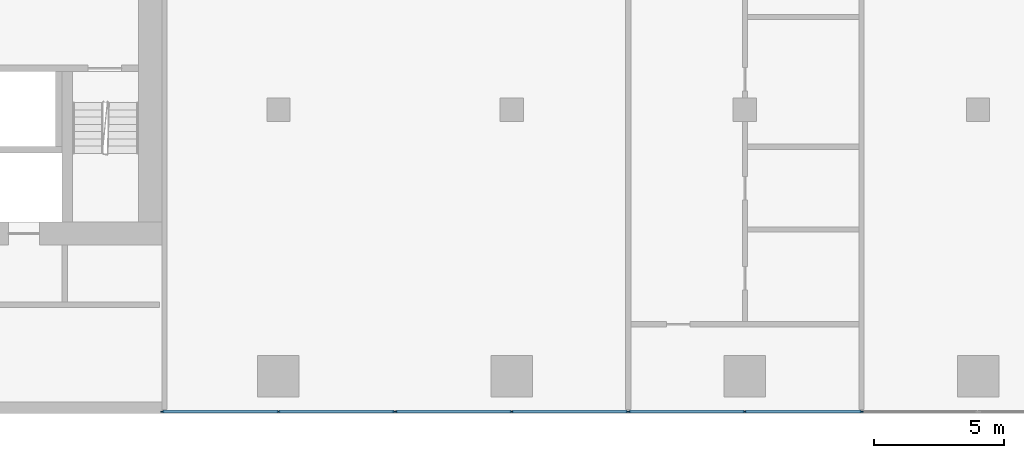
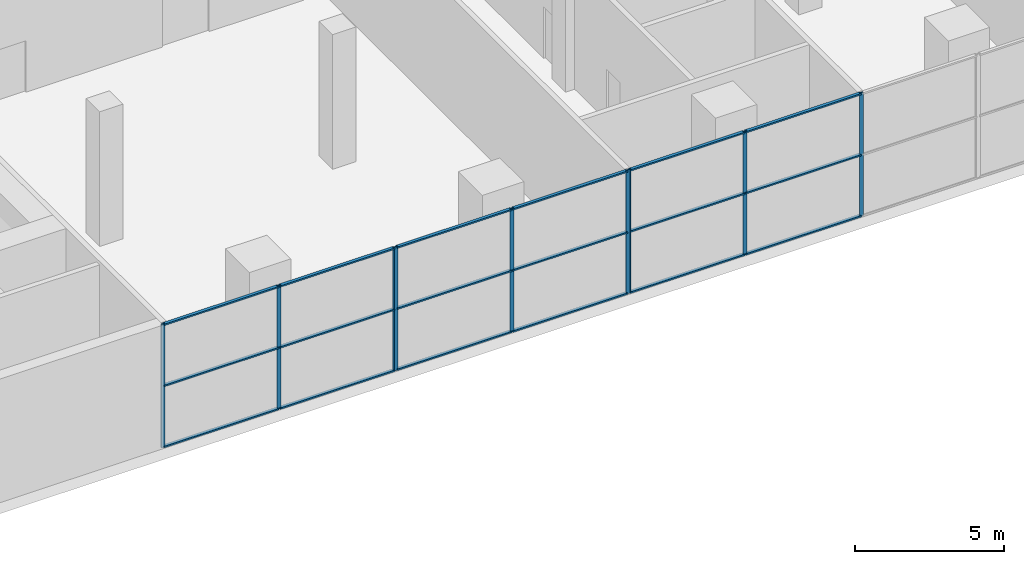
# One storey, part 2 of 21: 27 members, 3 elements without a shape of their own.
"""IFC4 building model written with IfcOpenShell, lengths in metres."""

from ifc_helpers import new_model, si_unit, direction, frame, origin, origin_2d, place, context, subcontext, project, spatial, rectangle, extrude, material, material_profile, profile_set, type_object, element, aggregate, save


model = new_model("IFC4")

# Units and contexts
model_context = context("Model", 3, precision=1e-05, world=origin(), true_north=direction((0.0, 1.0)))
body_context = subcontext(model_context, "Body", "Model", "MODEL_VIEW")
ifc_project = project(units=[si_unit("LENGTHUNIT", "METRE"), si_unit("AREAUNIT", "SQUARE_METRE"), si_unit("VOLUMEUNIT", "CUBIC_METRE"), si_unit("PLANEANGLEUNIT", "RADIAN"), si_unit("MASSUNIT", "GRAM", prefix="KILO")], contexts=[model_context])

# Site, building, storey
site_placement = place(None, origin())
site = spatial("IfcSite", under=ifc_project, at=site_placement, CompositionType="ELEMENT")
building_placement = place(site_placement, origin())
building = spatial("IfcBuilding", under=site, at=building_placement, Name="Kajstack Hotel Tower", CompositionType="ELEMENT")
storey_placement = place(building_placement, frame((0.0, 0.0, 23.5)))
storey = spatial("IfcBuildingStorey", under=building, at=storey_placement, Name="L03", CompositionType="ELEMENT", Elevation=23.5)

# Curtain wall, members
ifc_material_1 = material(Name="Aluminium-framed curtain wall, fritted glass", Category="aluminium")
curtain_wall_type = type_object("IfcCurtainWallType", Name="CW-MEET", PredefinedType="NOTDEFINED", material=ifc_material_1)
curtain_wall_1_placement = place(storey_placement, origin())
curtain_wall_1 = element("IfcCurtainWall", 1, at=curtain_wall_1_placement, inside=storey, type_object=curtain_wall_type, Name="Curtain wall CU3 L03-03-02-0", PredefinedType="NOTDEFINED")
ifc_material_2 = material(Name="Aluminium", Category="aluminium")
ifc_material_profile_1 = material_profile(ifc_material_2, rectangle(XDim=0.050048828125, YDim=0.14990234375, at=origin_2d()), Name="Aluminium mullion 50 x 150")
ifc_profile_set_1 = profile_set([ifc_material_profile_1], Name="Aluminium")
member_type_1 = type_object("IfcMemberType", Name="CW-M-MEET", PredefinedType="MULLION", material=ifc_profile_set_1)
member_1_placement = place(storey_placement, frame((-13.47509765625, -21.925048828125, 0.0), z_axis=(0.0, 0.0, 1.0), x_axis=(0.0, 1.0, 0.0)))
member_1 = element("IfcMember", 2, at=member_1_placement, type_object=member_type_1, Name="CU3 mullion 1", PredefinedType="MULLION", context=body_context, shape_type="SweptSolid", body=[
    extrude(rectangle(XDim=0.050048828125, YDim=0.14990234375, at=origin_2d()), origin(), (0.0, 0.0, 1.0), 5.050048828125),
])
member_2_placement = place(storey_placement, frame((-9.0, -21.925048828125, 0.0), z_axis=(0.0, 0.0, 1.0), x_axis=(0.0, 1.0, 0.0)))
member_2 = element("IfcMember", 3, at=member_2_placement, type_object=member_type_1, Name="CU3 mullion 2", PredefinedType="MULLION", context=body_context, shape_type="SweptSolid", body=[
    extrude(rectangle(XDim=0.050048828125, YDim=0.14990234375, at=origin_2d()), origin(), (0.0, 0.0, 1.0), 5.050048828125),
])
member_3_placement = place(storey_placement, frame((-4.52490234375, -21.925048828125, 0.0), z_axis=(0.0, 0.0, 1.0), x_axis=(0.0, 1.0, 0.0)))
member_3 = element("IfcMember", 4, at=member_3_placement, type_object=member_type_1, Name="CU3 mullion 3", PredefinedType="MULLION", context=body_context, shape_type="SweptSolid", body=[
    extrude(rectangle(XDim=0.050048828125, YDim=0.14990234375, at=origin_2d()), origin(), (0.0, 0.0, 1.0), 5.050048828125),
])

curtain_wall_2_placement = place(storey_placement, origin())
curtain_wall_2 = element("IfcCurtainWall", 5, at=curtain_wall_2_placement, inside=storey, type_object=curtain_wall_type, Name="Curtain wall CU3 L03-03-02-1", PredefinedType="NOTDEFINED")
member_4_placement = place(storey_placement, frame((-4.47509765625, -21.925048828125, 0.0), z_axis=(0.0, 0.0, 1.0), x_axis=(0.0, 1.0, 0.0)))
member_4 = element("IfcMember", 6, at=member_4_placement, type_object=member_type_1, Name="CU3 mullion 1", PredefinedType="MULLION", context=body_context, shape_type="SweptSolid", body=[
    extrude(rectangle(XDim=0.050048828125, YDim=0.14990234375, at=origin_2d()), origin(), (0.0, 0.0, 1.0), 5.050048828125),
])
member_5_placement = place(storey_placement, frame((0.0, -21.925048828125, 0.0), z_axis=(0.0, 0.0, 1.0), x_axis=(0.0, 1.0, 0.0)))
member_5 = element("IfcMember", 7, at=member_5_placement, type_object=member_type_1, Name="CU3 mullion 2", PredefinedType="MULLION", context=body_context, shape_type="SweptSolid", body=[
    extrude(rectangle(XDim=0.050048828125, YDim=0.14990234375, at=origin_2d()), origin(), (0.0, 0.0, 1.0), 5.050048828125),
])
member_6_placement = place(storey_placement, frame((4.47509765625, -21.925048828125, 0.0), z_axis=(0.0, 0.0, 1.0), x_axis=(0.0, 1.0, 0.0)))
member_6 = element("IfcMember", 8, at=member_6_placement, type_object=member_type_1, Name="CU3 mullion 3", PredefinedType="MULLION", context=body_context, shape_type="SweptSolid", body=[
    extrude(rectangle(XDim=0.050048828125, YDim=0.14990234375, at=origin_2d()), origin(), (0.0, 0.0, 1.0), 5.050048828125),
])

curtain_wall_3_placement = place(storey_placement, origin())
curtain_wall_3 = element("IfcCurtainWall", 9, at=curtain_wall_3_placement, inside=storey, type_object=curtain_wall_type, Name="Curtain wall CU3 L03-03-02-2", PredefinedType="NOTDEFINED")
member_7_placement = place(storey_placement, frame((4.52490234375, -21.925048828125, 0.0), z_axis=(0.0, 0.0, 1.0), x_axis=(0.0, 1.0, 0.0)))
member_7 = element("IfcMember", 10, at=member_7_placement, type_object=member_type_1, Name="CU3 mullion 1", PredefinedType="MULLION", context=body_context, shape_type="SweptSolid", body=[
    extrude(rectangle(XDim=0.050048828125, YDim=0.14990234375, at=origin_2d()), origin(), (0.0, 0.0, 1.0), 5.050048828125),
])
member_8_placement = place(storey_placement, frame((9.0, -21.925048828125, 0.0), z_axis=(0.0, 0.0, 1.0), x_axis=(0.0, 1.0, 0.0)))
member_8 = element("IfcMember", 11, at=member_8_placement, type_object=member_type_1, Name="CU3 mullion 2", PredefinedType="MULLION", context=body_context, shape_type="SweptSolid", body=[
    extrude(rectangle(XDim=0.050048828125, YDim=0.14990234375, at=origin_2d()), origin(), (0.0, 0.0, 1.0), 5.050048828125),
])
member_9_placement = place(storey_placement, frame((13.5, -21.925048828125, 0.0), z_axis=(0.0, 0.0, 1.0), x_axis=(0.0, 1.0, 0.0)))
member_9 = element("IfcMember", 12, at=member_9_placement, type_object=member_type_1, Name="CU3 mullion 3", PredefinedType="MULLION", context=body_context, shape_type="SweptSolid", body=[
    extrude(rectangle(XDim=0.050048828125, YDim=0.14990234375, at=origin_2d()), origin(), (0.0, 0.0, 1.0), 5.050048828125),
])

# Member
ifc_material_profile_2 = material_profile(ifc_material_2, rectangle(XDim=0.1201171875, YDim=0.06005859375, at=origin_2d()), Name="Aluminium transom 120 x 60")
ifc_profile_set_2 = profile_set([ifc_material_profile_2], Name="Aluminium")
member_type_2 = type_object("IfcMemberType", Name="CW-T-MEET", PredefinedType="USERDEFINED", material=ifc_profile_set_2)
member_10_placement = place(storey_placement, frame((-13.449951171875, -21.925048828125, 0.030029296875), z_axis=(1.0, 0.0, 0.0), x_axis=(0.0, 1.0, 0.0)))
member_10 = element("IfcMember", 13, at=member_10_placement, type_object=member_type_2, Name="CU3 transom 1.1", ObjectType="TRANSOM", PredefinedType="USERDEFINED", context=body_context, shape_type="SweptSolid", body=[
    extrude(rectangle(XDim=0.1201171875, YDim=0.06005859375, at=origin_2d()), origin(), (0.0, 0.0, 1.0), 4.425048828125),
])

member_11_placement = place(storey_placement, frame((-13.449951171875, -21.925048828125, 2.52490234375), z_axis=(1.0, 0.0, 0.0), x_axis=(0.0, 1.0, 0.0)))
member_11 = element("IfcMember", 14, at=member_11_placement, type_object=member_type_2, Name="CU3 transom 1.2", ObjectType="TRANSOM", PredefinedType="USERDEFINED", context=body_context, shape_type="SweptSolid", body=[
    extrude(rectangle(XDim=0.1201171875, YDim=0.06005859375, at=origin_2d()), origin(), (0.0, 0.0, 1.0), 4.425048828125),
])

member_12_placement = place(storey_placement, frame((-13.449951171875, -21.925048828125, 5.02001953125), z_axis=(1.0, 0.0, 0.0), x_axis=(0.0, 1.0, 0.0)))
member_12 = element("IfcMember", 15, at=member_12_placement, type_object=member_type_2, Name="CU3 transom 1.3", ObjectType="TRANSOM", PredefinedType="USERDEFINED", context=body_context, shape_type="SweptSolid", body=[
    extrude(rectangle(XDim=0.1201171875, YDim=0.06005859375, at=origin_2d()), origin(), (0.0, 0.0, 1.0), 4.425048828125),
])

member_13_placement = place(storey_placement, frame((-8.97509765625, -21.925048828125, 0.030029296875), z_axis=(1.0, 0.0, 0.0), x_axis=(0.0, 1.0, 0.0)))
member_13 = element("IfcMember", 16, at=member_13_placement, type_object=member_type_2, Name="CU3 transom 2.1", ObjectType="TRANSOM", PredefinedType="USERDEFINED", context=body_context, shape_type="SweptSolid", body=[
    extrude(rectangle(XDim=0.1201171875, YDim=0.06005859375, at=origin_2d()), origin(), (0.0, 0.0, 1.0), 4.425048828125),
])

member_14_placement = place(storey_placement, frame((-8.97509765625, -21.925048828125, 2.52490234375), z_axis=(1.0, 0.0, 0.0), x_axis=(0.0, 1.0, 0.0)))
member_14 = element("IfcMember", 17, at=member_14_placement, type_object=member_type_2, Name="CU3 transom 2.2", ObjectType="TRANSOM", PredefinedType="USERDEFINED", context=body_context, shape_type="SweptSolid", body=[
    extrude(rectangle(XDim=0.1201171875, YDim=0.06005859375, at=origin_2d()), origin(), (0.0, 0.0, 1.0), 4.425048828125),
])

member_15_placement = place(storey_placement, frame((-8.97509765625, -21.925048828125, 5.02001953125), z_axis=(1.0, 0.0, 0.0), x_axis=(0.0, 1.0, 0.0)))
member_15 = element("IfcMember", 18, at=member_15_placement, type_object=member_type_2, Name="CU3 transom 2.3", ObjectType="TRANSOM", PredefinedType="USERDEFINED", context=body_context, shape_type="SweptSolid", body=[
    extrude(rectangle(XDim=0.1201171875, YDim=0.06005859375, at=origin_2d()), origin(), (0.0, 0.0, 1.0), 4.425048828125),
])

aggregate(curtain_wall_1, [member_1, member_2, member_3, member_10, member_11, member_12, member_13, member_14, member_15])

member_16_placement = place(storey_placement, frame((-4.449951171875, -21.925048828125, 0.030029296875), z_axis=(1.0, 0.0, 0.0), x_axis=(0.0, 1.0, 0.0)))
member_16 = element("IfcMember", 19, at=member_16_placement, type_object=member_type_2, Name="CU3 transom 1.1", ObjectType="TRANSOM", PredefinedType="USERDEFINED", context=body_context, shape_type="SweptSolid", body=[
    extrude(rectangle(XDim=0.1201171875, YDim=0.06005859375, at=origin_2d()), origin(), (0.0, 0.0, 1.0), 4.425048828125),
])

member_17_placement = place(storey_placement, frame((-4.449951171875, -21.925048828125, 2.52490234375), z_axis=(1.0, 0.0, 0.0), x_axis=(0.0, 1.0, 0.0)))
member_17 = element("IfcMember", 20, at=member_17_placement, type_object=member_type_2, Name="CU3 transom 1.2", ObjectType="TRANSOM", PredefinedType="USERDEFINED", context=body_context, shape_type="SweptSolid", body=[
    extrude(rectangle(XDim=0.1201171875, YDim=0.06005859375, at=origin_2d()), origin(), (0.0, 0.0, 1.0), 4.425048828125),
])

member_18_placement = place(storey_placement, frame((-4.449951171875, -21.925048828125, 5.02001953125), z_axis=(1.0, 0.0, 0.0), x_axis=(0.0, 1.0, 0.0)))
member_18 = element("IfcMember", 21, at=member_18_placement, type_object=member_type_2, Name="CU3 transom 1.3", ObjectType="TRANSOM", PredefinedType="USERDEFINED", context=body_context, shape_type="SweptSolid", body=[
    extrude(rectangle(XDim=0.1201171875, YDim=0.06005859375, at=origin_2d()), origin(), (0.0, 0.0, 1.0), 4.425048828125),
])

member_19_placement = place(storey_placement, frame((0.02490234375, -21.925048828125, 0.030029296875), z_axis=(1.0, 0.0, 0.0), x_axis=(0.0, 1.0, 0.0)))
member_19 = element("IfcMember", 22, at=member_19_placement, type_object=member_type_2, Name="CU3 transom 2.1", ObjectType="TRANSOM", PredefinedType="USERDEFINED", context=body_context, shape_type="SweptSolid", body=[
    extrude(rectangle(XDim=0.1201171875, YDim=0.06005859375, at=origin_2d()), origin(), (0.0, 0.0, 1.0), 4.425048828125),
])

member_20_placement = place(storey_placement, frame((0.02490234375, -21.925048828125, 2.52490234375), z_axis=(1.0, 0.0, 0.0), x_axis=(0.0, 1.0, 0.0)))
member_20 = element("IfcMember", 23, at=member_20_placement, type_object=member_type_2, Name="CU3 transom 2.2", ObjectType="TRANSOM", PredefinedType="USERDEFINED", context=body_context, shape_type="SweptSolid", body=[
    extrude(rectangle(XDim=0.1201171875, YDim=0.06005859375, at=origin_2d()), origin(), (0.0, 0.0, 1.0), 4.425048828125),
])

member_21_placement = place(storey_placement, frame((0.02490234375, -21.925048828125, 5.02001953125), z_axis=(1.0, 0.0, 0.0), x_axis=(0.0, 1.0, 0.0)))
member_21 = element("IfcMember", 24, at=member_21_placement, type_object=member_type_2, Name="CU3 transom 2.3", ObjectType="TRANSOM", PredefinedType="USERDEFINED", context=body_context, shape_type="SweptSolid", body=[
    extrude(rectangle(XDim=0.1201171875, YDim=0.06005859375, at=origin_2d()), origin(), (0.0, 0.0, 1.0), 4.425048828125),
])

aggregate(curtain_wall_2, [member_4, member_5, member_6, member_16, member_17, member_18, member_19, member_20, member_21])

member_22_placement = place(storey_placement, frame((4.550048828125, -21.925048828125, 0.030029296875), z_axis=(1.0, 0.0, 0.0), x_axis=(0.0, 1.0, 0.0)))
member_22 = element("IfcMember", 25, at=member_22_placement, type_object=member_type_2, Name="CU3 transom 1.1", ObjectType="TRANSOM", PredefinedType="USERDEFINED", context=body_context, shape_type="SweptSolid", body=[
    extrude(rectangle(XDim=0.1201171875, YDim=0.06005859375, at=origin_2d()), origin(), (0.0, 0.0, 1.0), 4.425048828125),
])

member_23_placement = place(storey_placement, frame((4.550048828125, -21.925048828125, 2.52490234375), z_axis=(1.0, 0.0, 0.0), x_axis=(0.0, 1.0, 0.0)))
member_23 = element("IfcMember", 26, at=member_23_placement, type_object=member_type_2, Name="CU3 transom 1.2", ObjectType="TRANSOM", PredefinedType="USERDEFINED", context=body_context, shape_type="SweptSolid", body=[
    extrude(rectangle(XDim=0.1201171875, YDim=0.06005859375, at=origin_2d()), origin(), (0.0, 0.0, 1.0), 4.425048828125),
])

member_24_placement = place(storey_placement, frame((4.550048828125, -21.925048828125, 5.02001953125), z_axis=(1.0, 0.0, 0.0), x_axis=(0.0, 1.0, 0.0)))
member_24 = element("IfcMember", 27, at=member_24_placement, type_object=member_type_2, Name="CU3 transom 1.3", ObjectType="TRANSOM", PredefinedType="USERDEFINED", context=body_context, shape_type="SweptSolid", body=[
    extrude(rectangle(XDim=0.1201171875, YDim=0.06005859375, at=origin_2d()), origin(), (0.0, 0.0, 1.0), 4.425048828125),
])

member_25_placement = place(storey_placement, frame((9.02490234375, -21.925048828125, 0.030029296875), z_axis=(1.0, 0.0, 0.0), x_axis=(0.0, 1.0, 0.0)))
member_25 = element("IfcMember", 28, at=member_25_placement, type_object=member_type_2, Name="CU3 transom 2.1", ObjectType="TRANSOM", PredefinedType="USERDEFINED", context=body_context, shape_type="SweptSolid", body=[
    extrude(rectangle(XDim=0.1201171875, YDim=0.06005859375, at=origin_2d()), origin(), (0.0, 0.0, 1.0), 4.4501953125),
])

member_26_placement = place(storey_placement, frame((9.02490234375, -21.925048828125, 2.52490234375), z_axis=(1.0, 0.0, 0.0), x_axis=(0.0, 1.0, 0.0)))
member_26 = element("IfcMember", 29, at=member_26_placement, type_object=member_type_2, Name="CU3 transom 2.2", ObjectType="TRANSOM", PredefinedType="USERDEFINED", context=body_context, shape_type="SweptSolid", body=[
    extrude(rectangle(XDim=0.1201171875, YDim=0.06005859375, at=origin_2d()), origin(), (0.0, 0.0, 1.0), 4.4501953125),
])

member_27_placement = place(storey_placement, frame((9.02490234375, -21.925048828125, 5.02001953125), z_axis=(1.0, 0.0, 0.0), x_axis=(0.0, 1.0, 0.0)))
member_27 = element("IfcMember", 30, at=member_27_placement, type_object=member_type_2, Name="CU3 transom 2.3", ObjectType="TRANSOM", PredefinedType="USERDEFINED", context=body_context, shape_type="SweptSolid", body=[
    extrude(rectangle(XDim=0.1201171875, YDim=0.06005859375, at=origin_2d()), origin(), (0.0, 0.0, 1.0), 4.4501953125),
])

aggregate(curtain_wall_3, [member_7, member_8, member_9, member_22, member_23, member_24, member_25, member_26, member_27])

save(model, "model.ifc")
